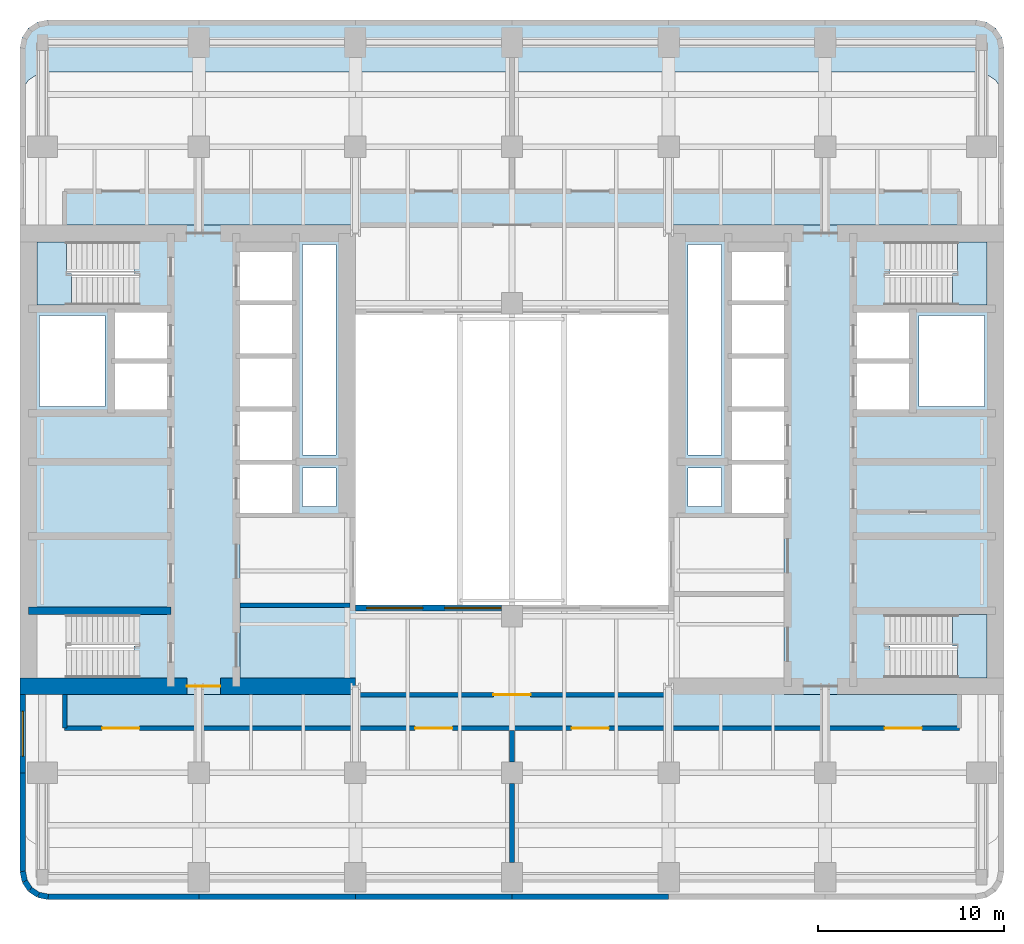
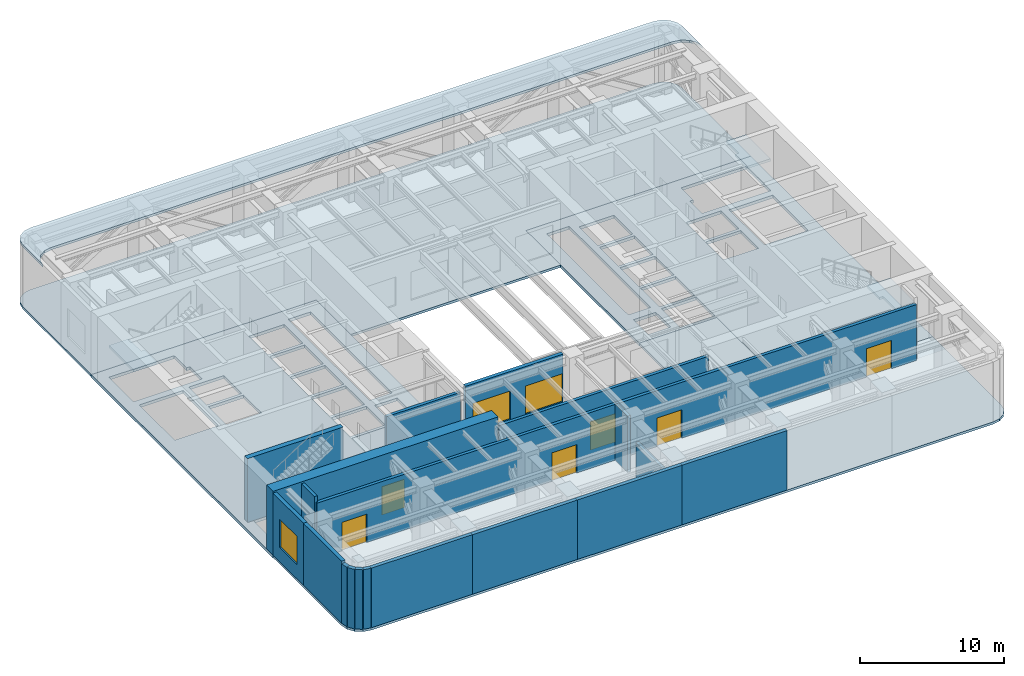
# One storey, part 3 of 10: 19 walls, 8 slabs, 6 doors, 3 windows, 9 openings, 3 elements without a shape of their own.
"""IFC4 building model written with IfcOpenShell, lengths in metres."""

from ifc_helpers import new_model, si_unit, direction, frame, frame_2d, origin, place, context, subcontext, project, spatial, polyline, rectangle, outline, extrude, material, layer, layer_set, type_object, element, fill, aggregate, save


model = new_model("IFC4")

# Units and contexts
model_context = context("Model", 3, precision=1e-05, world=origin(), true_north=direction((0.0, 1.0)))
body_context = subcontext(model_context, "Body", "Model", "MODEL_VIEW")
ifc_project = project(units=[si_unit("LENGTHUNIT", "METRE"), si_unit("AREAUNIT", "SQUARE_METRE"), si_unit("VOLUMEUNIT", "CUBIC_METRE"), si_unit("PLANEANGLEUNIT", "RADIAN"), si_unit("MASSUNIT", "GRAM", prefix="KILO")], contexts=[model_context])

# Site, building, storey
site_placement = place(None, origin())
site = spatial("IfcSite", under=ifc_project, at=site_placement, CompositionType="ELEMENT")
building_placement = place(site_placement, origin())
building = spatial("IfcBuilding", under=site, at=building_placement, Name="Claustro Exchange Tower", CompositionType="ELEMENT")
storey_placement = place(building_placement, frame((0.0, 0.0, 168.0)))
storey = spatial("IfcBuildingStorey", under=building, at=storey_placement, Name="L38", CompositionType="ELEMENT", Elevation=168.0)

# Slabs
ifc_material_1 = material(Name="Concrete HA-50 (C50/60)", Category="concrete")
ifc_layer_1 = layer(ifc_material_1, 0.199951171875)
ifc_layer_set_1 = layer_set([ifc_layer_1], Name="Concrete HA-50 (C50/60)")
slab_type_1 = type_object("IfcSlabType", Name="S3 200 plant floor slab", PredefinedType="FLOOR", material=ifc_layer_set_1)
slab_1_placement = place(storey_placement, frame((0.0, 0.0, -0.199951171875)))
element("IfcSlab", 1, at=slab_1_placement, inside=storey, type_object=slab_type_1, Name="Floor slab S3 S L38", PredefinedType="FLOOR", context=body_context, shape_type="SweptSolid", body=[
    extrude(outline(polyline([(-0.27392578125, 1.714111328125), (0.300048828125, 1.60009765625), (50.10009765625, 1.60009765625), (50.674072265625, 1.714111328125), (51.16064453125, 2.039306640625), (51.48583984375, 2.52587890625), (51.60009765625, 3.10009765625), (51.60009765625, 12.60009765625), (39.800048828125, 12.60009765625), (39.800048828125, 22.10009765625), (33.60009765625, 22.10009765625), (33.60009765625, 17.39990234375), (16.800048828125, 17.39990234375), (16.800048828125, 22.10009765625), (10.60009765625, 22.10009765625), (10.60009765625, 12.60009765625), (-1.199951171875, 12.60009765625), (-1.199951171875, 3.10009765625), (-1.085693359375, 2.52587890625), (-0.7607421875, 2.039306640625), (-0.27392578125, 1.714111328125)])), origin(), (0.0, 0.0, 1.0), 0.199951171875),
])
slab_2_placement = place(storey_placement, frame((0.0, 0.0, -0.199951171875)))
element("IfcSlab", 2, at=slab_2_placement, inside=storey, type_object=slab_type_1, Name="Floor slab S3 N L38", PredefinedType="FLOOR", context=body_context, shape_type="SweptSolid", body=[
    extrude(outline(polyline([(16.800048828125, 37.800048828125), (16.800048828125, 33.0), (33.60009765625, 33.0), (33.60009765625, 37.800048828125), (51.60009765625, 37.800048828125), (51.60009765625, 47.300048828125), (51.48583984375, 47.8740234375), (51.16064453125, 48.360595703125), (50.674072265625, 48.685791015625), (50.10009765625, 48.800048828125), (0.300048828125, 48.800048828125), (-0.27392578125, 48.685791015625), (-0.7607421875, 48.360595703125), (-1.085693359375, 47.8740234375), (-1.199951171875, 47.300048828125), (-1.199951171875, 37.800048828125), (16.800048828125, 37.800048828125)])), origin(), (0.0, 0.0, 1.0), 0.199951171875),
])
ifc_material_2 = material(Name="Concrete HA-50 (C50/60)", Category="concrete")
ifc_layer_2 = layer(ifc_material_2, 0.199951171875)
ifc_layer_set_2 = layer_set([ifc_layer_2], Name="Concrete HA-50 (C50/60)")
slab_type_2 = type_object("IfcSlabType", Name="S6 200 roof slab", PredefinedType="ROOF", material=ifc_layer_set_2)
slab_3_placement = place(storey_placement, frame((0.0, 0.0, 5.0400390625)))
element("IfcSlab", 3, at=slab_3_placement, inside=storey, type_object=slab_type_2, Name="Roof slab S6 N over L38", PredefinedType="ROOF", context=body_context, shape_type="SweptSolid", body=[
    extrude(outline(polyline([(-1.085693359375, 47.8740234375), (-1.199951171875, 47.300048828125), (-1.199951171875, 44.5), (-1.085693359375, 45.073974609375), (-0.7607421875, 45.560791015625), (-0.27392578125, 45.8857421875), (0.300048828125, 46.0), (50.10009765625, 46.0), (50.674072265625, 45.8857421875), (51.16064453125, 45.560791015625), (51.48583984375, 45.073974609375), (51.60009765625, 44.5), (51.60009765625, 47.300048828125), (51.48583984375, 47.8740234375), (51.16064453125, 48.360595703125), (50.674072265625, 48.685791015625), (50.10009765625, 48.800048828125), (0.300048828125, 48.800048828125), (-0.27392578125, 48.685791015625), (-0.7607421875, 48.360595703125), (-1.085693359375, 47.8740234375)])), origin(), (0.0, 0.0, 1.0), 0.199951171875),
])
ifc_material_3 = material(Name="Concrete HA-50 (C50/60)", Category="concrete")
ifc_layer_3 = layer(ifc_material_3, 0.25)
ifc_layer_set_3 = layer_set([ifc_layer_3], Name="Concrete HA-50 (C50/60)")
slab_type_3 = type_object("IfcSlabType", Name="S7 250 core floor slab", PredefinedType="FLOOR", material=ifc_layer_set_3)
slab_4_placement = place(storey_placement, frame((0.0, 0.0, -0.25)))
element("IfcSlab", 4, at=slab_4_placement, inside=storey, type_object=slab_type_3, Name="Core floor slab S7 W core L38", PredefinedType="FLOOR", context=body_context, shape_type="SweptSolid", body=[
    extrude(outline(polyline([(-1.199951171875, 37.800048828125), (-1.199951171875, 12.60009765625), (10.60009765625, 12.60009765625), (10.60009765625, 22.10009765625), (16.800048828125, 22.10009765625), (16.800048828125, 37.800048828125), (-1.199951171875, 37.800048828125)]), holes=[polyline([(13.949951171875, 24.75), (15.75, 24.75), (15.75, 22.699951171875), (13.949951171875, 22.699951171875), (13.949951171875, 24.75)]), polyline([(13.949951171875, 36.75), (15.75, 36.75), (15.75, 25.449951171875), (13.949951171875, 25.449951171875), (13.949951171875, 36.75)]), polyline([(13.39990234375, 24.949951171875), (13.39990234375, 22.35009765625), (10.60009765625, 22.35009765625), (10.60009765625, 24.949951171875), (13.39990234375, 24.949951171875)]), polyline([(13.39990234375, 27.800048828125), (13.39990234375, 25.199951171875), (10.60009765625, 25.199951171875), (10.60009765625, 27.800048828125), (13.39990234375, 27.800048828125)]), polyline([(13.39990234375, 30.64990234375), (13.39990234375, 28.050048828125), (10.60009765625, 28.050048828125), (10.60009765625, 30.64990234375), (13.39990234375, 30.64990234375)]), polyline([(13.39990234375, 33.5), (13.39990234375, 30.89990234375), (10.60009765625, 30.89990234375), (10.60009765625, 33.5), (13.39990234375, 33.5)]), polyline([(13.39990234375, 36.35009765625), (13.39990234375, 33.75), (10.60009765625, 33.75), (10.60009765625, 36.35009765625), (13.39990234375, 36.35009765625)]), polyline([(6.699951171875, 30.375), (6.699951171875, 27.89990234375), (3.89990234375, 27.89990234375), (3.89990234375, 30.375), (6.699951171875, 30.375)]), polyline([(6.699951171875, 33.10009765625), (6.699951171875, 30.625), (3.89990234375, 30.625), (3.89990234375, 33.10009765625), (6.699951171875, 33.10009765625)]), polyline([(-0.300048828125, 15.199951171875), (-0.300048828125, 16.89990234375), (5.195068359375, 16.89990234375), (5.195068359375, 15.199951171875), (4.919921875, 15.199951171875), (4.919921875, 13.5), (-0.300048828125, 13.5), (-0.300048828125, 15.199951171875)]), polyline([(-0.300048828125, 35.199951171875), (-0.300048828125, 36.89990234375), (4.919921875, 36.89990234375), (4.919921875, 35.199951171875), (5.195068359375, 35.199951171875), (5.195068359375, 33.5), (-0.300048828125, 33.5), (-0.300048828125, 35.199951171875)]), polyline([(-0.14990234375, 32.949951171875), (3.35009765625, 32.949951171875), (3.35009765625, 28.050048828125), (-0.14990234375, 28.050048828125), (-0.14990234375, 32.949951171875)])]), origin(), (0.0, 0.0, 1.0), 0.25),
])
slab_5_placement = place(storey_placement, frame((0.0, 0.0, -0.25)))
element("IfcSlab", 5, at=slab_5_placement, inside=storey, type_object=slab_type_3, Name="Core floor slab S7 E core L38", PredefinedType="FLOOR", context=body_context, shape_type="SweptSolid", body=[
    extrude(outline(polyline([(51.60009765625, 37.800048828125), (33.60009765625, 37.800048828125), (33.60009765625, 22.10009765625), (39.800048828125, 22.10009765625), (39.800048828125, 12.60009765625), (51.60009765625, 12.60009765625), (51.60009765625, 37.800048828125)]), holes=[polyline([(45.47998046875, 15.199951171875), (45.205078125, 15.199951171875), (45.205078125, 16.89990234375), (50.699951171875, 16.89990234375), (50.699951171875, 15.199951171875), (50.699951171875, 13.5), (45.47998046875, 13.5), (45.47998046875, 15.199951171875)]), polyline([(45.47998046875, 35.199951171875), (45.47998046875, 36.89990234375), (50.699951171875, 36.89990234375), (50.699951171875, 35.199951171875), (50.699951171875, 33.5), (45.205078125, 33.5), (45.205078125, 35.199951171875), (45.47998046875, 35.199951171875)]), polyline([(50.550048828125, 32.949951171875), (50.550048828125, 28.050048828125), (47.050048828125, 28.050048828125), (47.050048828125, 32.949951171875), (50.550048828125, 32.949951171875)]), polyline([(43.699951171875, 33.10009765625), (46.5, 33.10009765625), (46.5, 30.625), (43.699951171875, 30.625), (43.699951171875, 33.10009765625)]), polyline([(46.5, 30.375), (46.5, 27.89990234375), (43.699951171875, 27.89990234375), (43.699951171875, 30.375), (46.5, 30.375)]), polyline([(37.0, 24.949951171875), (39.800048828125, 24.949951171875), (39.800048828125, 22.35009765625), (37.0, 22.35009765625), (37.0, 24.949951171875)]), polyline([(37.0, 30.64990234375), (39.800048828125, 30.64990234375), (39.800048828125, 28.050048828125), (37.0, 28.050048828125), (37.0, 30.64990234375)]), polyline([(39.800048828125, 27.800048828125), (39.800048828125, 25.199951171875), (37.0, 25.199951171875), (37.0, 27.800048828125), (39.800048828125, 27.800048828125)]), polyline([(39.800048828125, 33.5), (39.800048828125, 30.89990234375), (37.0, 30.89990234375), (37.0, 33.5), (39.800048828125, 33.5)]), polyline([(39.800048828125, 36.35009765625), (39.800048828125, 33.75), (37.0, 33.75), (37.0, 36.35009765625), (39.800048828125, 36.35009765625)]), polyline([(36.449951171875, 24.75), (36.449951171875, 22.699951171875), (34.64990234375, 22.699951171875), (34.64990234375, 24.75), (36.449951171875, 24.75)]), polyline([(36.449951171875, 36.75), (36.449951171875, 25.449951171875), (34.64990234375, 25.449951171875), (34.64990234375, 36.75), (36.449951171875, 36.75)])]), origin(), (0.0, 0.0, 1.0), 0.25),
])

# Stair, slab
ifc_material_4 = material(Name="Concrete HA-30 (C30/37), precast", Category="concrete")
stair_type = type_object("IfcStairType", Name="ST3 half-turn stair, 30 risers of 180", PredefinedType="HALF_TURN_STAIR", material=ifc_material_4)
stair_1_placement = place(storey_placement, origin())
stair_1 = element("IfcStair", 6, at=stair_1_placement, inside=storey, type_object=stair_type, Name="Stair STWB L38", PredefinedType="HALF_TURN_STAIR")
ifc_material_5 = material(Name="Concrete HA-30 (C30/37), precast", Category="concrete")
ifc_layer_4 = layer(ifc_material_5, 0.199951171875)
ifc_layer_set_4 = layer_set([ifc_layer_4], Name="Concrete HA-30 (C30/37), precast")
slab_type_4 = type_object("IfcSlabType", Name="S9 200 stair landing", PredefinedType="LANDING", material=ifc_layer_set_4)
slab_6_placement = place(storey_placement, frame((0.0, 0.0, 2.5)))
slab_6 = element("IfcSlab", 7, at=slab_6_placement, type_object=slab_type_4, Name="STWB landing 1", PredefinedType="LANDING", context=body_context, shape_type="SweptSolid", body=[
    extrude(outline(polyline([(1.56005859375, 35.199951171875), (1.56005859375, 33.5), (1.284912109375, 33.5), (1.280029296875, 33.5), (-0.300048828125, 33.5), (-0.300048828125, 36.89990234375), (1.284912109375, 36.89990234375), (1.284912109375, 35.199951171875), (1.56005859375, 35.199951171875)])), origin(), (0.0, 0.0, 1.0), 0.199951171875),
])
aggregate(stair_1, [slab_6])

stair_2_placement = place(storey_placement, origin())
stair_2 = element("IfcStair", 8, at=stair_2_placement, inside=storey, type_object=stair_type, Name="Stair STEA L38", PredefinedType="HALF_TURN_STAIR")
slab_7_placement = place(storey_placement, frame((0.0, 0.0, 2.5)))
slab_7 = element("IfcSlab", 9, at=slab_7_placement, type_object=slab_type_4, Name="STEA landing 1", PredefinedType="LANDING", context=body_context, shape_type="SweptSolid", body=[
    extrude(outline(polyline([(50.699951171875, 16.89990234375), (50.699951171875, 13.5), (49.114990234375, 13.5), (49.114990234375, 15.199951171875), (48.840087890625, 15.199951171875), (48.840087890625, 16.89990234375), (49.114990234375, 16.89990234375), (49.1201171875, 16.89990234375), (50.699951171875, 16.89990234375)])), origin(), (0.0, 0.0, 1.0), 0.199951171875),
])
aggregate(stair_2, [slab_7])

stair_3_placement = place(storey_placement, origin())
stair_3 = element("IfcStair", 10, at=stair_3_placement, inside=storey, type_object=stair_type, Name="Stair STEB L38", PredefinedType="HALF_TURN_STAIR")
slab_8_placement = place(storey_placement, frame((0.0, 0.0, 2.5)))
slab_8 = element("IfcSlab", 11, at=slab_8_placement, type_object=slab_type_4, Name="STEB landing 1", PredefinedType="LANDING", context=body_context, shape_type="SweptSolid", body=[
    extrude(outline(polyline([(48.840087890625, 33.5), (48.840087890625, 35.199951171875), (49.114990234375, 35.199951171875), (49.114990234375, 36.89990234375), (50.699951171875, 36.89990234375), (50.699951171875, 33.5), (49.1201171875, 33.5), (49.114990234375, 33.5), (48.840087890625, 33.5)])), origin(), (0.0, 0.0, 1.0), 0.199951171875),
])
aggregate(stair_3, [slab_8])

# Wall
ifc_material_6 = material(Name="Concrete blockwork, rendered", Category="masonry")
ifc_layer_5 = layer(ifc_material_6, 0.25)
ifc_layer_set_5 = layer_set([ifc_layer_5], Name="Concrete blockwork, rendered")
wall_type_1 = type_object("IfcWallType", Name="P4 250 blockwork wall", PredefinedType="PARTITIONING", material=ifc_layer_set_5)
wall_1_placement = place(storey_placement, frame((10.597900390625, 17.39990234375, 0.0), z_axis=(0.0, 0.0, 1.0), x_axis=(1.0, 0.0, 0.0)))
element("IfcWall", 12, at=wall_1_placement, inside=storey, type_object=wall_type_1, Name="Partition P4 L38", PredefinedType="PARTITIONING", context=body_context, shape_type="SweptSolid", body=[
    extrude(rectangle(XDim=5.904052734375, YDim=0.25, at=frame_2d((2.9521484375, 0.0))), origin(), (0.0, 0.0, 1.0), 4.75),
])

# Wall, openings, doors
wall_2_placement = place(storey_placement, frame((1.199951171875, 10.800048828125, 0.0), z_axis=(0.0, 0.0, 1.0), x_axis=(1.0, 0.0, 0.0)))
wall_2 = element("IfcWall", 13, at=wall_2_placement, inside=storey, type_object=wall_type_1, Name="Partition P4 L38", PredefinedType="PARTITIONING", context=body_context, shape_type="SweptSolid", body=[
    extrude(rectangle(XDim=48.0, YDim=0.25, at=frame_2d((24.0, 0.0))), origin(), (0.0, 0.0, 1.0), 4.72509765625),
])
opening_1_placement = place(wall_2_placement, frame((2.0, 0.0, 0.0)))
opening_1 = element("IfcOpeningElement", 14, at=opening_1_placement, cuts=wall_2, Name="Opening D9", PredefinedType="OPENING", context=body_context, shape_type="SweptSolid", body=[
    extrude(rectangle(XDim=2.0, YDim=2.39990234375, at=frame_2d((1.0, 1.199951171875))), frame((0.0, 0.135009765625, 0.0), z_axis=(0.0, -1.0, 0.0), x_axis=(1.0, 0.0, 0.0)), (0.0, 0.0, 1.0), 0.27001953125),
])
opening_2_placement = place(wall_2_placement, frame((18.800048828125, 0.0, 0.0)))
opening_2 = element("IfcOpeningElement", 15, at=opening_2_placement, cuts=wall_2, Name="Opening D9", PredefinedType="OPENING", context=body_context, shape_type="SweptSolid", body=[
    extrude(rectangle(XDim=2.0, YDim=2.39990234375, at=frame_2d((1.0, 1.199951171875))), frame((0.0, 0.135009765625, 0.0), z_axis=(0.0, -1.0, 0.0), x_axis=(1.0, 0.0, 0.0)), (0.0, 0.0, 1.0), 0.27001953125),
])
opening_3_placement = place(wall_2_placement, frame((27.199951171875, 0.0, 0.0)))
opening_3 = element("IfcOpeningElement", 16, at=opening_3_placement, cuts=wall_2, Name="Opening D9", PredefinedType="OPENING", context=body_context, shape_type="SweptSolid", body=[
    extrude(rectangle(XDim=2.0, YDim=2.39990234375, at=frame_2d((1.0, 1.199951171875))), frame((0.0, 0.135009765625, 0.0), z_axis=(0.0, -1.0, 0.0), x_axis=(1.0, 0.0, 0.0)), (0.0, 0.0, 1.0), 0.27001953125),
])
opening_4_placement = place(wall_2_placement, frame((44.0, 0.0, 0.0)))
opening_4 = element("IfcOpeningElement", 17, at=opening_4_placement, cuts=wall_2, Name="Opening D9", PredefinedType="OPENING", context=body_context, shape_type="SweptSolid", body=[
    extrude(rectangle(XDim=2.0, YDim=2.39990234375, at=frame_2d((1.0, 1.199951171875))), frame((0.0, 0.135009765625, 0.0), z_axis=(0.0, -1.0, 0.0), x_axis=(1.0, 0.0, 0.0)), (0.0, 0.0, 1.0), 0.27001953125),
])
ifc_material_7 = material(Name="Steel fire door, painted", Category="steel")
door_type_1 = type_object("IfcDoorType", Name="D9 2000 x 2400 plant room double door", OperationType="DOUBLE_DOOR_SINGLE_SWING", PredefinedType="DOOR", material=ifc_material_7)
door_1_placement = place(opening_1_placement, frame((2.0, 0.0, 0.0), z_axis=(0.0, 0.0, 1.0), x_axis=(-1.0, 0.0, 0.0)))
door_1 = element("IfcDoor", 18, at=door_1_placement, inside=storey, type_object=door_type_1, Name="Double door D9 L38", OperationType="DOUBLE_DOOR_SINGLE_SWING", OverallHeight=2.39990234375, OverallWidth=2.0, PredefinedType="DOOR", context=body_context, shape_type="SweptSolid", body=[
    extrude(rectangle(XDim=2.0, YDim=2.39990234375, at=frame_2d((1.0, 1.199951171875))), frame((0.0, 0.02490234375, 0.0), z_axis=(0.0, -1.0, 0.0), x_axis=(1.0, 0.0, 0.0)), (0.0, 0.0, 1.0), 0.050048828125),
])
fill(opening_1, door_1)
door_2_placement = place(opening_2_placement, frame((2.0, 0.0, 0.0), z_axis=(0.0, 0.0, 1.0), x_axis=(-1.0, 0.0, 0.0)))
door_2 = element("IfcDoor", 19, at=door_2_placement, inside=storey, type_object=door_type_1, Name="Double door D9 L38", OperationType="DOUBLE_DOOR_SINGLE_SWING", OverallHeight=2.39990234375, OverallWidth=2.0, PredefinedType="DOOR", context=body_context, shape_type="SweptSolid", body=[
    extrude(rectangle(XDim=2.0, YDim=2.39990234375, at=frame_2d((1.0, 1.199951171875))), frame((0.0, 0.02490234375, 0.0), z_axis=(0.0, -1.0, 0.0), x_axis=(1.0, 0.0, 0.0)), (0.0, 0.0, 1.0), 0.050048828125),
])
fill(opening_2, door_2)
door_3_placement = place(opening_3_placement, frame((2.0, 0.0, 0.0), z_axis=(0.0, 0.0, 1.0), x_axis=(-1.0, 0.0, 0.0)))
door_3 = element("IfcDoor", 20, at=door_3_placement, inside=storey, type_object=door_type_1, Name="Double door D9 L38", OperationType="DOUBLE_DOOR_SINGLE_SWING", OverallHeight=2.39990234375, OverallWidth=2.0, PredefinedType="DOOR", context=body_context, shape_type="SweptSolid", body=[
    extrude(rectangle(XDim=2.0, YDim=2.39990234375, at=frame_2d((1.0, 1.199951171875))), frame((0.0, 0.02490234375, 0.0), z_axis=(0.0, -1.0, 0.0), x_axis=(1.0, 0.0, 0.0)), (0.0, 0.0, 1.0), 0.050048828125),
])
fill(opening_3, door_3)
door_4_placement = place(opening_4_placement, frame((2.0, 0.0, 0.0), z_axis=(0.0, 0.0, 1.0), x_axis=(-1.0, 0.0, 0.0)))
door_4 = element("IfcDoor", 21, at=door_4_placement, inside=storey, type_object=door_type_1, Name="Double door D9 L38", OperationType="DOUBLE_DOOR_SINGLE_SWING", OverallHeight=2.39990234375, OverallWidth=2.0, PredefinedType="DOOR", context=body_context, shape_type="SweptSolid", body=[
    extrude(rectangle(XDim=2.0, YDim=2.39990234375, at=frame_2d((1.0, 1.199951171875))), frame((0.0, 0.02490234375, 0.0), z_axis=(0.0, -1.0, 0.0), x_axis=(1.0, 0.0, 0.0)), (0.0, 0.0, 1.0), 0.050048828125),
])
fill(opening_4, door_4)

# Walls
wall_3_placement = place(storey_placement, frame((1.199951171875, 10.800048828125, 0.0), z_axis=(0.0, 0.0, 1.0), x_axis=(0.0, 1.0, 0.0)))
element("IfcWall", 22, at=wall_3_placement, inside=storey, type_object=wall_type_1, Name="Partition P4 L38", PredefinedType="PARTITIONING", context=body_context, shape_type="SweptSolid", body=[
    extrude(rectangle(XDim=1.802001953125, YDim=0.25, at=frame_2d((0.90087890625, 0.0))), origin(), (0.0, 0.0, 1.0), 5.25),
])
wall_4_placement = place(storey_placement, frame((25.199951171875, 3.59912109375, 0.0), z_axis=(0.0, 0.0, 1.0), x_axis=(0.0, 1.0, 0.0)))
element("IfcWall", 23, at=wall_4_placement, inside=storey, type_object=wall_type_1, Name="Partition P4 L38", PredefinedType="PARTITIONING", context=body_context, shape_type="SweptSolid", body=[
    extrude(rectangle(XDim=4.226806640625, YDim=0.25, at=frame_2d((2.11328125, 0.0))), origin(), (0.0, 0.0, 1.0), 3.239990234375),
])
wall_5_placement = place(storey_placement, frame((25.199951171875, 8.97412109375, 0.0), z_axis=(0.0, 0.0, 1.0), x_axis=(0.0, 1.0, 0.0)))
element("IfcWall", 24, at=wall_5_placement, inside=storey, type_object=wall_type_1, Name="Partition P4 L38", PredefinedType="PARTITIONING", context=body_context, shape_type="SweptSolid", body=[
    extrude(rectangle(XDim=1.701904296875, YDim=0.25, at=frame_2d((0.85107421875, 0.0))), origin(), (0.0, 0.0, 1.0), 4.75),
])

# Wall, opening, door
wall_6_placement = place(storey_placement, frame((16.800048828125, 12.60009765625, 0.0), z_axis=(0.0, 0.0, 1.0), x_axis=(1.0, 0.0, 0.0)))
wall_6 = element("IfcWall", 25, at=wall_6_placement, inside=storey, type_object=wall_type_1, Name="Partition P4 L38", PredefinedType="PARTITIONING", context=body_context, shape_type="SweptSolid", body=[
    extrude(rectangle(XDim=16.800048828125, YDim=0.25, at=frame_2d((8.39990234375, 0.0))), origin(), (0.0, 0.0, 1.0), 4.72509765625),
])
opening_5_placement = place(wall_6_placement, frame((7.39990234375, 0.0, 0.0)))
opening_5 = element("IfcOpeningElement", 26, at=opening_5_placement, cuts=wall_6, Name="Opening D9", PredefinedType="OPENING", context=body_context, shape_type="SweptSolid", body=[
    extrude(rectangle(XDim=2.0, YDim=2.39990234375, at=frame_2d((1.0, 1.199951171875))), frame((0.0, 0.135009765625, 0.0), z_axis=(0.0, -1.0, 0.0), x_axis=(1.0, 0.0, 0.0)), (0.0, 0.0, 1.0), 0.27001953125),
])
door_5_placement = place(opening_5_placement, origin())
door_5 = element("IfcDoor", 27, at=door_5_placement, inside=storey, type_object=door_type_1, Name="Double door D9 L38", OperationType="DOUBLE_DOOR_SINGLE_SWING", OverallHeight=2.39990234375, OverallWidth=2.0, PredefinedType="DOOR", context=body_context, shape_type="SweptSolid", body=[
    extrude(rectangle(XDim=2.0, YDim=2.39990234375, at=frame_2d((1.0, 1.199951171875))), frame((0.0, 0.02490234375, 0.0), z_axis=(0.0, -1.0, 0.0), x_axis=(1.0, 0.0, 0.0)), (0.0, 0.0, 1.0), 0.050048828125),
])
fill(opening_5, door_5)

# Walls
ifc_material_8 = material(Name="Concrete HA-40 (C40/50), precast, white cement, acid-etched", Category="concrete")
ifc_layer_6 = layer(ifc_material_8, 0.300048828125)
ifc_layer_set_6 = layer_set([ifc_layer_6], Name="Concrete HA-40 (C40/50), precast, white cement, acid-etched")
wall_type_2 = type_object("IfcWallType", Name="PC1 300 precast concrete pier panel", PredefinedType="SOLIDWALL", material=ifc_layer_set_6)
wall_7_placement = place(storey_placement, frame((33.60009765625, 1.75, 0.0), z_axis=(0.0, 0.0, 1.0), x_axis=(-1.0, 0.0, 0.0)))
element("IfcWall", 28, at=wall_7_placement, inside=storey, type_object=wall_type_2, Name="Precast pier panel PC1 L38", PredefinedType="SOLIDWALL", context=body_context, shape_type="SweptSolid", body=[
    extrude(rectangle(XDim=8.400146484375, YDim=0.300048828125, at=frame_2d((4.2001953125, 0.0))), origin(), (0.0, 0.0, 1.0), 5.0400390625),
])
wall_8_placement = place(storey_placement, frame((25.199951171875, 1.75, 0.0), z_axis=(0.0, 0.0, 1.0), x_axis=(-1.0, 0.0, 0.0)))
element("IfcWall", 29, at=wall_8_placement, inside=storey, type_object=wall_type_2, Name="Precast pier panel PC1 L38", PredefinedType="SOLIDWALL", context=body_context, shape_type="SweptSolid", body=[
    extrude(rectangle(XDim=8.39990234375, YDim=0.300048828125, at=frame_2d((4.199951171875, 0.0))), origin(), (0.0, 0.0, 1.0), 5.0400390625),
])
wall_9_placement = place(storey_placement, frame((16.800048828125, 1.75, 0.0), z_axis=(0.0, 0.0, 1.0), x_axis=(-1.0, 0.0, 0.0)))
element("IfcWall", 30, at=wall_9_placement, inside=storey, type_object=wall_type_2, Name="Precast pier panel PC1 L38", PredefinedType="SOLIDWALL", context=body_context, shape_type="SweptSolid", body=[
    extrude(rectangle(XDim=8.400146484375, YDim=0.300048828125, at=frame_2d((4.2001953125, 0.0))), origin(), (0.0, 0.0, 1.0), 5.0400390625),
])
wall_10_placement = place(storey_placement, frame((8.39990234375, 1.75, 0.0), z_axis=(0.0, 0.0, 1.0), x_axis=(-1.0, 0.0, 0.0)))
element("IfcWall", 31, at=wall_10_placement, inside=storey, type_object=wall_type_2, Name="Precast pier panel PC1 L38", PredefinedType="SOLIDWALL", context=body_context, shape_type="SweptSolid", body=[
    extrude(rectangle(XDim=8.085205078125, YDim=0.300048828125, at=frame_2d((4.04248046875, 0.0))), origin(), (0.0, 0.0, 1.0), 5.0400390625),
])
wall_11_placement = place(storey_placement, frame((0.314697265625, 1.75, 0.0), z_axis=(0.0, 0.0, 1.0), x_axis=(-0.980788534345, 0.195073962632, 0.0)))
element("IfcWall", 32, at=wall_11_placement, inside=storey, type_object=wall_type_2, Name="Precast pier panel PC1 L38", PredefinedType="SOLIDWALL", context=body_context, shape_type="SweptSolid", body=[
    extrude(rectangle(XDim=0.540771484375, YDim=0.300048828125, at=frame_2d((0.2705078125, 0.0))), origin(), (0.0, 0.0, 1.0), 5.0400390625),
])
for number, where, z_axis, x_axis, name in (
    (33, (-0.215576171875, 1.85546875, 0.0), (0.0, 0.0, 1.0), (-0.831478144188, 0.555557463938, 0.0), "Precast pier panel PC1 L38"),
    (34, (-0.652587890625, 2.1474609375, 0.0), (0.0, 0.0, 1.0), (-0.555557463938, 0.831478144188, 0.0), "Precast pier panel PC1 L38"),
):
    element("IfcWall", number, at=place(storey_placement, frame(where, z_axis=z_axis, x_axis=x_axis)), inside=storey, type_object=wall_type_2, Name=name, PredefinedType="SOLIDWALL", context=body_context, shape_type="SweptSolid", body=[
        extrude(rectangle(XDim=0.525634765625, YDim=0.300048828125, at=frame_2d((0.2626953125, 0.0))), origin(), (0.0, 0.0, 1.0), 5.0400390625),
    ])
wall_12_placement = place(storey_placement, frame((-0.944580078125, 2.58447265625, 0.0), z_axis=(0.0, 0.0, 1.0), x_axis=(-0.195073962632, 0.980788534345, 0.0)))
element("IfcWall", 35, at=wall_12_placement, inside=storey, type_object=wall_type_2, Name="Precast pier panel PC1 L38", PredefinedType="SOLIDWALL", context=body_context, shape_type="SweptSolid", body=[
    extrude(rectangle(XDim=0.540771484375, YDim=0.300048828125, at=frame_2d((0.2705078125, 0.0))), origin(), (0.0, 0.0, 1.0), 5.0400390625),
])
wall_13_placement = place(storey_placement, frame((-1.050048828125, 3.11474609375, 0.0), z_axis=(0.0, 0.0, 1.0), x_axis=(0.0, 1.0, 0.0)))
element("IfcWall", 36, at=wall_13_placement, inside=storey, type_object=wall_type_2, Name="Precast pier panel PC1 L38", PredefinedType="SOLIDWALL", context=body_context, shape_type="SweptSolid", body=[
    extrude(rectangle(XDim=5.28515625, YDim=0.300048828125, at=frame_2d((2.642578125, 0.0))), origin(), (0.0, 0.0, 1.0), 5.239990234375),
])

# Wall, opening, window
wall_14_placement = place(storey_placement, frame((-1.050048828125, 8.39990234375, 0.0), z_axis=(0.0, 0.0, 1.0), x_axis=(0.0, 1.0, 0.0)))
wall_14 = element("IfcWall", 37, at=wall_14_placement, inside=storey, type_object=wall_type_2, Name="Precast pier panel PC1 L38", PredefinedType="SOLIDWALL", context=body_context, shape_type="SweptSolid", body=[
    extrude(rectangle(XDim=4.2001953125, YDim=0.300048828125, at=frame_2d((2.10009765625, 0.0))), origin(), (0.0, 0.0, 1.0), 5.25),
])
opening_6_placement = place(wall_14_placement, frame((0.89990234375, 0.0, 1.199951171875)))
opening_6 = element("IfcOpeningElement", 38, at=opening_6_placement, cuts=wall_14, Name="Opening L2", PredefinedType="OPENING", context=body_context, shape_type="SweptSolid", body=[
    extrude(rectangle(XDim=2.39990234375, YDim=2.39990234375, at=frame_2d((1.199951171875, 1.199951171875))), frame((0.0, 0.159912109375, 0.0), z_axis=(0.0, -1.0, 0.0), x_axis=(1.0, 0.0, 0.0)), (0.0, 0.0, 1.0), 0.320068359375),
])
ifc_material_9 = material(Name="Aluminium louvre blades", Category="aluminium")
window_type_1 = type_object("IfcWindowType", Name="L2 2400 x 2400 plant louvre", PartitioningType="SINGLE_PANEL", PredefinedType="USERDEFINED", material=ifc_material_9)
window_1_placement = place(opening_6_placement, origin())
window_1 = element("IfcWindow", 39, at=window_1_placement, inside=storey, type_object=window_type_1, Name="Plant louvre L2 L38", ObjectType="LOUVRE", OverallHeight=2.39990234375, OverallWidth=2.39990234375, PartitioningType="SINGLE_PANEL", PredefinedType="USERDEFINED", context=body_context, shape_type="SweptSolid", body=[
    extrude(rectangle(XDim=2.39990234375, YDim=2.39990234375, at=frame_2d((1.199951171875, 1.199951171875))), frame((0.0, 0.030029296875, 0.0), z_axis=(0.0, -1.0, 0.0), x_axis=(1.0, 0.0, 0.0)), (0.0, 0.0, 1.0), 0.06005859375),
])
fill(opening_6, window_1)

# Wall, openings, windows
wall_15_placement = place(storey_placement, frame((16.800048828125, 17.25, 0.0), z_axis=(0.0, 0.0, 1.0), x_axis=(1.0, 0.0, 0.0)))
wall_15 = element("IfcWall", 40, at=wall_15_placement, inside=storey, type_object=wall_type_2, Name="Precast pier panel PC1 L38", PredefinedType="SOLIDWALL", context=body_context, shape_type="SweptSolid", body=[
    extrude(rectangle(XDim=7.824951171875, YDim=0.300048828125, at=frame_2d((3.91259765625, 0.0))), origin(), (0.0, 0.0, 1.0), 5.25),
])
opening_7_placement = place(wall_15_placement, frame((0.60009765625, 0.0, 1.199951171875)))
opening_7 = element("IfcOpeningElement", 41, at=opening_7_placement, cuts=wall_15, Name="Opening L1", PredefinedType="OPENING", context=body_context, shape_type="SweptSolid", body=[
    extrude(rectangle(XDim=3.0, YDim=2.39990234375, at=frame_2d((1.5, 1.199951171875))), frame((0.0, 0.159912109375, 0.0), z_axis=(0.0, -1.0, 0.0), x_axis=(1.0, 0.0, 0.0)), (0.0, 0.0, 1.0), 0.320068359375),
])
opening_8_placement = place(wall_15_placement, frame((4.800048828125, 0.0, 1.199951171875)))
opening_8 = element("IfcOpeningElement", 42, at=opening_8_placement, cuts=wall_15, Name="Opening L1", PredefinedType="OPENING", context=body_context, shape_type="SweptSolid", body=[
    extrude(rectangle(XDim=3.0, YDim=2.39990234375, at=frame_2d((1.5, 1.199951171875))), frame((0.0, 0.159912109375, 0.0), z_axis=(0.0, -1.0, 0.0), x_axis=(1.0, 0.0, 0.0)), (0.0, 0.0, 1.0), 0.320068359375),
])
ifc_material_10 = material(Name="Aluminium louvre blades", Category="aluminium")
window_type_2 = type_object("IfcWindowType", Name="L1 3000 x 2400 plant louvre", PartitioningType="SINGLE_PANEL", PredefinedType="USERDEFINED", material=ifc_material_10)
window_2_placement = place(opening_7_placement, origin())
window_2 = element("IfcWindow", 43, at=window_2_placement, inside=storey, type_object=window_type_2, Name="Plant louvre L1 L38", ObjectType="LOUVRE", OverallHeight=2.39990234375, OverallWidth=3.0, PartitioningType="SINGLE_PANEL", PredefinedType="USERDEFINED", context=body_context, shape_type="SweptSolid", body=[
    extrude(rectangle(XDim=3.0, YDim=2.39990234375, at=frame_2d((1.5, 1.199951171875))), frame((0.0, 0.030029296875, 0.0), z_axis=(0.0, -1.0, 0.0), x_axis=(1.0, 0.0, 0.0)), (0.0, 0.0, 1.0), 0.06005859375),
])
fill(opening_7, window_2)
window_3_placement = place(opening_8_placement, origin())
window_3 = element("IfcWindow", 44, at=window_3_placement, inside=storey, type_object=window_type_2, Name="Plant louvre L1 L38", ObjectType="LOUVRE", OverallHeight=2.39990234375, OverallWidth=3.0, PartitioningType="SINGLE_PANEL", PredefinedType="USERDEFINED", context=body_context, shape_type="SweptSolid", body=[
    extrude(rectangle(XDim=3.0, YDim=2.39990234375, at=frame_2d((1.5, 1.199951171875))), frame((0.0, 0.030029296875, 0.0), z_axis=(0.0, -1.0, 0.0), x_axis=(1.0, 0.0, 0.0)), (0.0, 0.0, 1.0), 0.06005859375),
])
fill(opening_8, window_3)

# Wall, opening, door
ifc_material_11 = material(Name="Concrete HA-70 (C70/85)", Category="concrete")
ifc_layer_7 = layer(ifc_material_11, 0.89990234375)
ifc_layer_set_7 = layer_set([ifc_layer_7], Name="Concrete HA-70 (C70/85)")
wall_type_3 = type_object("IfcWallType", Name="SW1 900 core shear wall", PredefinedType="SHEAR", material=ifc_layer_set_7)
wall_16_placement = place(storey_placement, frame((-1.199951171875, 13.050048828125, 0.0), z_axis=(0.0, 0.0, 1.0), x_axis=(1.0, 0.0, 0.0)))
wall_16 = element("IfcWall", 45, at=wall_16_placement, inside=storey, type_object=wall_type_3, Name="Core wall SW1 W core S face L38", PredefinedType="SHEAR", context=body_context, shape_type="SweptSolid", body=[
    extrude(rectangle(XDim=18.0, YDim=0.89990234375, at=frame_2d((9.0, 0.0))), origin(), (0.0, 0.0, 1.0), 5.39990234375),
])
opening_9_placement = place(wall_16_placement, frame((8.949951171875, 0.0, 0.0)))
opening_9 = element("IfcOpeningElement", 46, at=opening_9_placement, cuts=wall_16, Name="Opening D3", PredefinedType="OPENING", context=body_context, shape_type="SweptSolid", body=[
    extrude(rectangle(XDim=1.800048828125, YDim=2.39990234375, at=frame_2d((0.89990234375, 1.199951171875))), frame((0.0, 0.4599609375, 0.0), z_axis=(0.0, -1.0, 0.0), x_axis=(1.0, 0.0, 0.0)), (0.0, 0.0, 1.0), 0.919921875),
])
ifc_material_12 = material(Name="Steel fire door, painted", Category="steel")
door_type_2 = type_object("IfcDoorType", Name="D3 1800 x 2400 fire-rated lobby double door", OperationType="DOUBLE_DOOR_SINGLE_SWING", PredefinedType="DOOR", material=ifc_material_12)
door_6_placement = place(opening_9_placement, origin())
door_6 = element("IfcDoor", 47, at=door_6_placement, inside=storey, type_object=door_type_2, Name="Lift lobby door D3 L38", OperationType="DOUBLE_DOOR_SINGLE_SWING", OverallHeight=2.39990234375, OverallWidth=1.800048828125, PredefinedType="DOOR", context=body_context, shape_type="SweptSolid", body=[
    extrude(rectangle(XDim=1.800048828125, YDim=2.39990234375, at=frame_2d((0.89990234375, 1.199951171875))), frame((0.0, 0.02490234375, 0.0), z_axis=(0.0, -1.0, 0.0), x_axis=(1.0, 0.0, 0.0)), (0.0, 0.0, 1.0), 0.050048828125),
])
fill(opening_9, door_6)

# Wall
ifc_material_13 = material(Name="Concrete HA-50 (C50/60)", Category="concrete")
ifc_layer_8 = layer(ifc_material_13, 0.39990234375)
ifc_layer_set_8 = layer_set([ifc_layer_8], Name="Concrete HA-50 (C50/60)")
wall_type_4 = type_object("IfcWallType", Name="SW4 400 internal core wall", PredefinedType="SHEAR", material=ifc_layer_set_8)
wall_17_placement = place(storey_placement, frame((-0.75, 17.10009765625, 0.0), z_axis=(0.0, 0.0, 1.0), x_axis=(1.0, 0.0, 0.0)))
element("IfcWall", 48, at=wall_17_placement, inside=storey, type_object=wall_type_4, Name="Internal core wall SW4 W core L38", PredefinedType="SHEAR", context=body_context, shape_type="SweptSolid", body=[
    extrude(rectangle(XDim=7.64990234375, YDim=0.39990234375, at=frame_2d((3.824951171875, 0.0))), origin(), (0.0, 0.0, 1.0), 5.39990234375),
])

save(model, "model.ifc")
